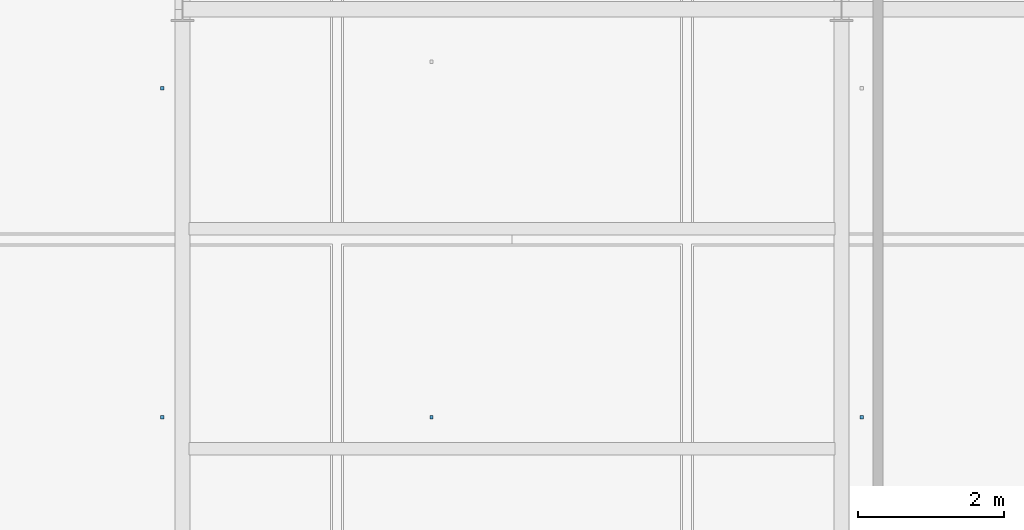
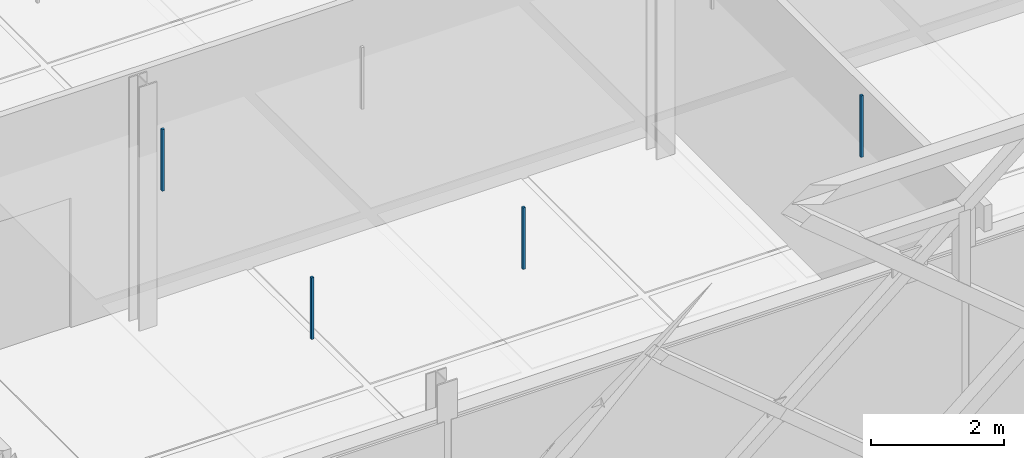
# One storey, part 49 of 66: 4 discrete accessories.
"""IFC4 building model written with IfcOpenShell, lengths in metres."""

import ifcopenshell
import ifcopenshell.guid

model = None  # the IFC model being written
_history = None  # IfcOwnerHistory: only IFC2X3 demands one
_inside = {}  # id of a spatial element -> (the spatial element, [elements in it])
_under = {}  # id of a project, library or spatial element -> (it, [spatial elements below it])
_declared = {}  # id of a project -> (the project, [libraries it declares])
_typed = {}  # id of a type object -> (the type object, [elements of that type])
_made_of = {}  # id of a material, layer set ... -> (it, [elements and type objects made of it])


def new_model(schema):
    """Start an empty IFC model of exactly this schema.

    Asked for "IFC4X3", IfcOpenShell would pick the latest addendum, in which some entities
    have other attributes; the version numbers below select the first issue.
    IFC2X3 requires an IfcOwnerHistory on every rooted entity: one is made here for all.
    """
    global model, _history
    if schema == "IFC4X3":
        model = ifcopenshell.file(schema_version=(4, 3, 0, 0))
    else:
        model = ifcopenshell.file(schema=schema)
    _inside.clear()
    _under.clear()
    _declared.clear()
    _typed.clear()
    _made_of.clear()
    _history = None
    if model.schema == "IFC2X3":
        org = make("IfcOrganization", Name="unknown")
        user = make(
            "IfcPersonAndOrganization",
            ThePerson=make("IfcPerson", FamilyName="unknown"),
            TheOrganization=org,
        )
        app = make(
            "IfcApplication",
            ApplicationDeveloper=org,
            Version="unknown",
            ApplicationFullName="unknown",
            ApplicationIdentifier="unknown",
        )
        _history = make(
            "IfcOwnerHistory",
            OwningUser=user,
            OwningApplication=app,
            ChangeAction="ADDED",
            CreationDate=0,
        )
    return model


def make(cls, **values):
    """One entity of the class cls with the attributes given. An attribute that is None is left unset."""
    return model.create_entity(
        cls, **{name: value for name, value in values.items() if value is not None}
    )


def rooted(cls, **values):
    """An entity with a GlobalId (a new one), such as an element, a storey or a relation."""
    return make(cls, GlobalId=ifcopenshell.guid.new(), OwnerHistory=_history, **values)


def si_unit(unit_type, name, prefix=None):
    """IfcSIUnit, for example si_unit("LENGTHUNIT", "METRE", prefix="MILLI")."""
    return make("IfcSIUnit", UnitType=unit_type, Prefix=prefix, Name=name)


def assignment(units):
    """IfcUnitAssignment: the units of a project."""
    return None if units is None else make("IfcUnitAssignment", Units=units)


def point(xyz):
    """IfcCartesianPoint."""
    return None if xyz is None else make("IfcCartesianPoint", Coordinates=xyz)


def direction(xyz):
    """IfcDirection."""
    return None if xyz is None else make("IfcDirection", DirectionRatios=xyz)


def frame(location, z_axis=None, x_axis=None):
    """IfcAxis2Placement3D, a coordinate frame: its origin and axes. An axis left out is left unset."""
    return make(
        "IfcAxis2Placement3D",
        Location=point(location),
        Axis=direction(z_axis),
        RefDirection=direction(x_axis),
    )


def frame_2d(location, x_axis=None):
    """IfcAxis2Placement2D, a coordinate frame in the plane: its origin and x axis."""
    return make(
        "IfcAxis2Placement2D", Location=point(location), RefDirection=direction(x_axis)
    )


def origin():
    """The frame at (0, 0, 0) with its axes left unset."""
    return frame((0.0, 0.0, 0.0))


def origin_2d():
    """The frame at (0, 0) in the plane with its x axis left unset."""
    return frame_2d((0.0, 0.0))


def place(relative_to, where):
    """IfcLocalPlacement: puts the frame where relative to a parent placement (None: the world)."""
    return make(
        "IfcLocalPlacement", PlacementRelTo=relative_to, RelativePlacement=where
    )


def context(
    kind, dimensions, precision=None, world=None, true_north=None, identifier=None
):
    """IfcGeometricRepresentationContext, for example the 3D "Model" context."""
    return make(
        "IfcGeometricRepresentationContext",
        ContextIdentifier=identifier,
        ContextType=kind,
        CoordinateSpaceDimension=dimensions,
        Precision=precision,
        WorldCoordinateSystem=world,
        TrueNorth=true_north,
    )


def subcontext(parent, identifier, kind, view, scale=None):
    """IfcGeometricRepresentationSubContext, for example "Body" below "Model"."""
    return make(
        "IfcGeometricRepresentationSubContext",
        ContextIdentifier=identifier,
        ContextType=kind,
        ParentContext=parent,
        TargetScale=scale,
        TargetView=view,
    )


def project(units=None, contexts=None):
    """IfcProject with its units and contexts."""
    return rooted(
        "IfcProject",
        Name="project",
        RepresentationContexts=contexts,
        UnitsInContext=assignment(units),
    )


def spatial(cls, under=None, at=None, **own):
    """A site, building, storey or space (cls), placed at a placement, below another one or the project."""
    s = rooted(cls, ObjectPlacement=at, **own)
    if under is not None:
        _under.setdefault(under.id(), (under, []))[1].append(s)
    return s


def profile(cls, at=None, kind="AREA", **sizes):
    """A parametric profile (cls). Its sizes go by their IFC names, for example OverallWidth=200.0."""
    return make(cls, ProfileType=kind, Position=at, **sizes)


def rectangle(**sizes):
    """IfcRectangleProfileDef."""
    return profile("IfcRectangleProfileDef", **sizes)


def extrude(swept, where, along, depth):
    """IfcExtrudedAreaSolid: the profile swept, set in the frame where, extruded along a direction by depth."""
    return make(
        "IfcExtrudedAreaSolid",
        SweptArea=swept,
        Position=where,
        ExtrudedDirection=direction(along),
        Depth=depth,
    )


def shape(context_of_items, identifier, shape_type, items):
    """IfcShapeRepresentation: the items that make up one representation, for example the "Body"."""
    return make(
        "IfcShapeRepresentation",
        ContextOfItems=context_of_items,
        RepresentationIdentifier=identifier,
        RepresentationType=shape_type,
        Items=items,
    )


def material(Name=None, Category=None):
    """IfcMaterial."""
    return make("IfcMaterial", Name=Name, Category=Category)


def made_of(thing, what):
    """Note that an element or type object is made of a material, layer set ...; save() writes the relation."""
    if what is not None:
        _made_of.setdefault(what.id(), (what, []))[1].append(thing)
    return thing


def type_object(cls, material=None, **own):
    """A type object (cls), such as IfcWallType, which elements share."""
    return made_of(rooted(cls, **own), material)


def element(
    cls,
    number,
    at=None,
    inside=None,
    cuts=None,
    type_object=None,
    material=None,
    context=None,
    identifier="Body",
    shape_type=None,
    held_by="IfcProductDefinitionShape",
    body=None,
    shapes=None,
    **own,
):
    """One element of the class cls, such as IfcWall. Its Tag is "e" and its number.

    at: its placement. inside: the storey or other place that contains it. cuts: it is an
    opening in that element (IfcRelVoidsElement). A single representation is given by context,
    identifier, shape_type and body (its items); several are given by shapes. held_by: the class
    of the entity that holds the representations. save() writes the other relations.
    """
    e = rooted(cls, Tag="e%d" % number, ObjectPlacement=at, **own)
    if body is not None:
        shapes = [shape(context, identifier, shape_type, body)]
    if shapes is not None:
        e.Representation = make(held_by, Representations=shapes)
    if inside is not None:
        _inside.setdefault(inside.id(), (inside, []))[1].append(e)
    if cuts is not None:
        rooted(
            "IfcRelVoidsElement", RelatingBuildingElement=cuts, RelatedOpeningElement=e
        )
    if type_object is not None:
        _typed.setdefault(type_object.id(), (type_object, []))[1].append(e)
    return made_of(e, material)


def aggregate(whole, parts):
    """IfcRelAggregates: a whole, such as a stair, and the parts it consists of."""
    return rooted("IfcRelAggregates", RelatingObject=whole, RelatedObjects=parts)


def save(model, path):
    """Write the relations noted so far, then the file.

    IfcRelAggregates (storeys below a building ...), IfcRelContainedInSpatialStructure (elements
    in a storey), IfcRelDefinesByType, IfcRelAssociatesMaterial and IfcRelDeclares: one each for
    every whole, place, type object, material and project.
    """
    for whole, parts in _under.values():
        aggregate(whole, parts)
    for where, things in _inside.values():
        rooted(
            "IfcRelContainedInSpatialStructure",
            RelatedElements=things,
            RelatingStructure=where,
        )
    for kind, things in _typed.values():
        rooted("IfcRelDefinesByType", RelatedObjects=things, RelatingType=kind)
    for what, things in _made_of.values():
        rooted("IfcRelAssociatesMaterial", RelatedObjects=things, RelatingMaterial=what)
    for by, libraries in _declared.values():
        rooted("IfcRelDeclares", RelatingContext=by, RelatedDefinitions=libraries)
    model.write(path)


model = new_model("IFC4")

# Units and contexts
model_context = context("Model", 3, precision=1e-05, world=origin(), true_north=direction((0.0, 1.0)))
body_context = subcontext(model_context, "Body", "Model", "MODEL_VIEW")
ifc_project = project(units=[si_unit("LENGTHUNIT", "METRE"), si_unit("AREAUNIT", "SQUARE_METRE"), si_unit("VOLUMEUNIT", "CUBIC_METRE"), si_unit("PLANEANGLEUNIT", "RADIAN"), si_unit("MASSUNIT", "GRAM", prefix="KILO"), si_unit("THERMODYNAMICTEMPERATUREUNIT", "KELVIN"), si_unit("POWERUNIT", "WATT")], contexts=[model_context])

# Site, building, storey
site_placement = place(None, origin())
site = spatial("IfcSite", under=ifc_project, at=site_placement, CompositionType="ELEMENT")
building_placement = place(site_placement, origin())
building = spatial("IfcBuilding", under=site, at=building_placement, Name="Tallowbark Science Centre", CompositionType="ELEMENT")
storey_placement = place(building_placement, frame((0.0, 0.0, 18.89990234375)))
storey = spatial("IfcBuildingStorey", under=building, at=storey_placement, Name="L04", CompositionType="ELEMENT", Elevation=18.89990234375)

# Discrete accessories
ifc_material = material(Name="Galvanised Steel Grade C350L0 (350 MPa)", Category="steel")
discrete_accessory_type = type_object("IfcDiscreteAccessoryType", Name="ACC-CLG-HNG", PredefinedType="BRACKET", material=ifc_material)
for number, where, z_axis, x_axis, name in (
    (1, (76.22216796875, 7.9287109375, 3.20947265625), (0.0, 0.0, 1.0), (1.0, 0.0, 0.0), "Ceiling Hanger Bracket L04-1083"),
    (2, (76.22216796875, 12.423583984375, 3.20947265625), (0.0, 0.0, 1.0), (1.0, 0.0, 0.0), "Ceiling Hanger Bracket L04-1084"),
    (3, (79.900390625, 7.9287109375, 3.20947265625), (0.0, 0.0, 1.0), (1.0, 0.0, 0.0), "Ceiling Hanger Bracket L04-1090"),
    (4, (85.77783203125, 7.9287109375, 3.20947265625), (0.0, 0.0, 1.0), (1.0, 0.0, 0.0), "Ceiling Hanger Bracket L04-1097"),
):
    element("IfcDiscreteAccessory", number, at=place(storey_placement, frame(where, z_axis=z_axis, x_axis=x_axis)), inside=storey, type_object=discrete_accessory_type, Name=name, PredefinedType="BRACKET", context=body_context, shape_type="SweptSolid", body=[
        extrude(rectangle(XDim=0.044921875, YDim=0.044921875, at=origin_2d()), origin(), (0.0, 0.0, 1.0), 1.133544921875),
    ])

save(model, "model.ifc")
